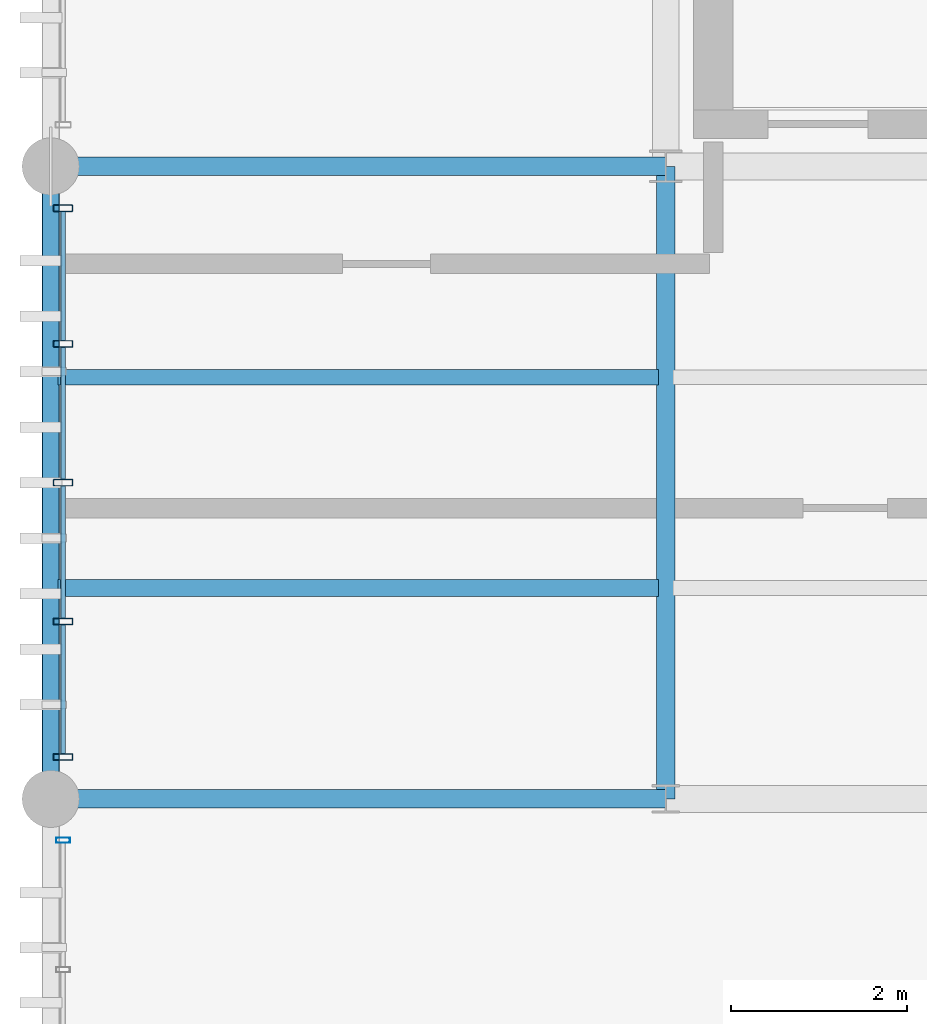
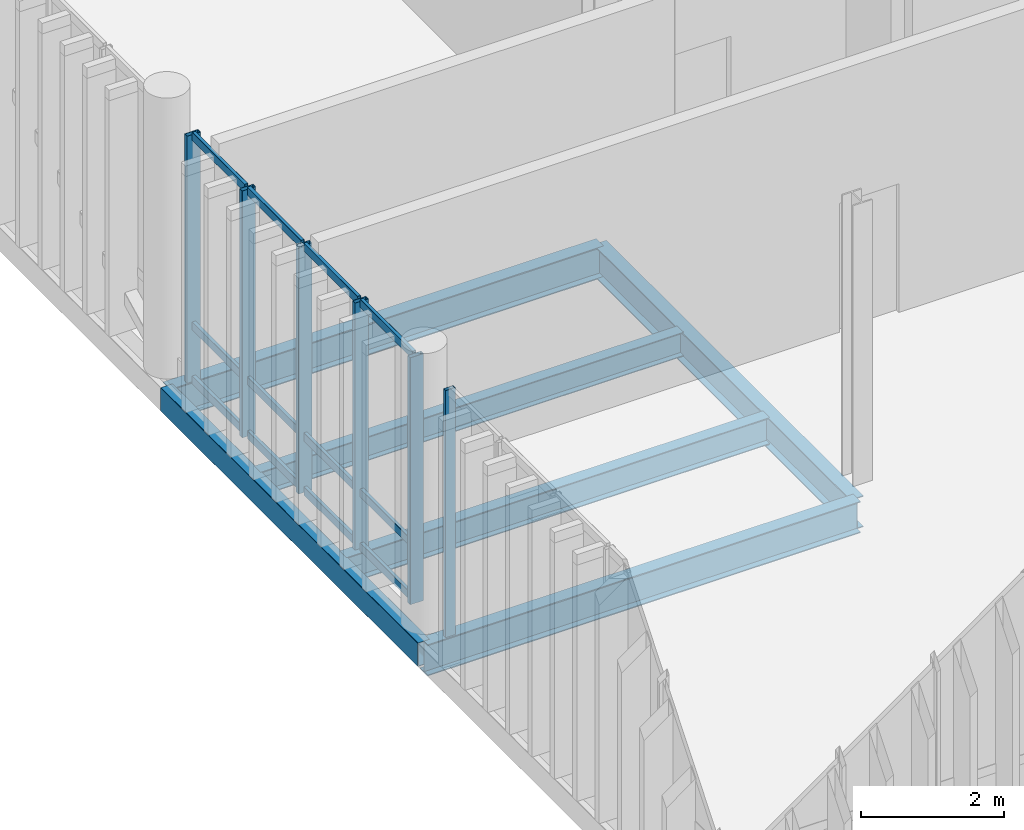
# One storey, part 9 of 86: 18 members, 6 beams, 2 elements without a shape of their own.
"""IFC4 building model written with IfcOpenShell, lengths in metres."""

from ifc_helpers import new_model, si_unit, direction, frame, origin_with_axes, origin_2d_with_axis, place, context, subcontext, project, spatial, hollow_rectangle, i_section, extrude, material, material_profile, profile_set, type_object, element, aggregate, save


model = new_model("IFC4")

# Units and contexts
model_context = context("Model", 3, precision=1e-05, world=origin_with_axes(), true_north=direction((0.0, 1.0)))
body_context = subcontext(model_context, "Body", "Model", "MODEL_VIEW")
ifc_project = project(units=[si_unit("LENGTHUNIT", "METRE"), si_unit("AREAUNIT", "SQUARE_METRE"), si_unit("VOLUMEUNIT", "CUBIC_METRE"), si_unit("PLANEANGLEUNIT", "RADIAN"), si_unit("MASSUNIT", "GRAM", prefix="KILO"), si_unit("THERMODYNAMICTEMPERATUREUNIT", "KELVIN")], contexts=[model_context])

# Site, building, storey
site_placement = place(None, origin_with_axes())
site = spatial("IfcSite", under=ifc_project, at=site_placement, CompositionType="ELEMENT")
building_placement = place(site_placement, origin_with_axes())
building = spatial("IfcBuilding", under=site, at=building_placement, Name="Montbau Bow Law Courts", CompositionType="ELEMENT")
storey_placement = place(building_placement, frame((0.0, 0.0, 29.7), z_axis=(0.0, 0.0, 1.0), x_axis=(1.0, 0.0, 0.0)))
storey = spatial("IfcBuildingStorey", under=building, at=storey_placement, Name="L06", CompositionType="ELEMENT", Elevation=29.7)

# Beams
ifc_material_1 = material(Name="Steel CSA G40.21 Grade 350W (350 MPa)", Category="steel")
ifc_material_profile_1 = material_profile(ifc_material_1, i_section(OverallWidth=0.21, OverallDepth=0.537, WebThickness=0.0109, FlangeThickness=0.0174, at=origin_2d_with_axis()), Name="W530X101", Category="Main", Priority=0)
ifc_profile_set_1 = profile_set([ifc_material_profile_1], Name="Steel CSA G40.21 Grade 350W (350 MPa)")
beam_type_1 = type_object("IfcBeamType", Name="B-FLR-06", PredefinedType="BEAM", material=ifc_profile_set_1)
for number, where, z_axis, x_axis, name in (
    (1, (6.8, 39.0, 29.091), (1.0, 0.0, 0.0), (0.0, 1.0, 0.0), "BM-L06-S0671:bm2_0674"),
    (2, (6.8, 46.2, 29.091), (1.0, 0.0, 0.0), (0.0, 1.0, 0.0), "BM-L06-S0676:bm2_0679"),
):
    element("IfcBeam", number, at=place(None, frame(where, z_axis=z_axis, x_axis=x_axis)), inside=storey, type_object=beam_type_1, Name=name, PredefinedType="BEAM", context=body_context, shape_type="SweptSolid", body=[
        extrude(i_section(OverallWidth=0.21, OverallDepth=0.537, WebThickness=0.0109, FlangeThickness=0.0174, at=origin_2d_with_axis()), origin_with_axes(), (0.0, 0.0, 1.0), 7.0),
    ])
beam_1_placement = place(None, frame((13.8, 39.0, 29.091), z_axis=(0.0, 1.0, 0.0), x_axis=(-1.0, 0.0, 0.0)))
element("IfcBeam", 3, at=beam_1_placement, inside=storey, type_object=beam_type_1, Name="BM-L06-S0695:bm2_0698", PredefinedType="BEAM", context=body_context, shape_type="SweptSolid", body=[
    extrude(i_section(OverallWidth=0.21, OverallDepth=0.537, WebThickness=0.0109, FlangeThickness=0.0174, at=origin_2d_with_axis()), origin_with_axes(), (0.0, 0.0, 1.0), 7.2),
])
ifc_material_profile_2 = material_profile(ifc_material_1, i_section(OverallWidth=0.191, OverallDepth=0.46, WebThickness=0.0099, FlangeThickness=0.016, at=origin_2d_with_axis()), Name="W460X82", Category="Main", Priority=0)
ifc_profile_set_2 = profile_set([ifc_material_profile_2], Name="Steel CSA G40.21 Grade 350W (350 MPa)")
beam_type_2 = type_object("IfcBeamType", Name="B-JST-01", PredefinedType="JOIST", material=ifc_profile_set_2)
beam_2_placement = place(None, frame((6.88, 41.4, 29.13), z_axis=(1.0, 0.0, 0.0), x_axis=(0.0, 1.0, 0.0)))
element("IfcBeam", 4, at=beam_2_placement, inside=storey, type_object=beam_type_2, Name="JST-L06-S0332:jst2_0332", PredefinedType="JOIST", context=body_context, shape_type="SweptSolid", body=[
    extrude(i_section(OverallWidth=0.191, OverallDepth=0.46, WebThickness=0.0099, FlangeThickness=0.016, at=origin_2d_with_axis()), origin_with_axes(), (0.0, 0.0, 1.0), 6.839),
])
ifc_material_profile_3 = material_profile(ifc_material_1, i_section(OverallWidth=0.179, OverallDepth=0.41, WebThickness=0.0088, FlangeThickness=0.0144, at=origin_2d_with_axis()), Name="W410X67", Category="Main", Priority=0)
ifc_profile_set_3 = profile_set([ifc_material_profile_3], Name="Steel CSA G40.21 Grade 350W (350 MPa)")
beam_type_3 = type_object("IfcBeamType", Name="B-JST-02", PredefinedType="JOIST", material=ifc_profile_set_3)
beam_3_placement = place(None, frame((6.88, 43.8, 29.155), z_axis=(1.0, 0.0, 0.0), x_axis=(0.0, 1.0, 0.0)))
element("IfcBeam", 5, at=beam_3_placement, inside=storey, type_object=beam_type_3, Name="JST-L06-S0333:jst2_0333", PredefinedType="JOIST", context=body_context, shape_type="SweptSolid", body=[
    extrude(i_section(OverallWidth=0.179, OverallDepth=0.41, WebThickness=0.0088, FlangeThickness=0.0144, at=origin_2d_with_axis()), origin_with_axes(), (0.0, 0.0, 1.0), 6.839),
])
ifc_material_2 = material(Name="Steel CSA G40.21 Grade 350WT (350 MPa)", Category="steel")
ifc_material_profile_4 = material_profile(ifc_material_2, hollow_rectangle(XDim=0.203, YDim=0.406, WallThickness=0.0127, InnerFilletRadius=0.0254, OuterFilletRadius=0.0127, at=origin_2d_with_axis()), Name="HSS406X203X13", Category="Main", Priority=0)
ifc_profile_set_4 = profile_set([ifc_material_profile_4], Name="Steel CSA G40.21 Grade 350WT (350 MPa)")
beam_type_4 = type_object("IfcBeamType", Name="B-SPN-01", PredefinedType="SPANDREL", material=ifc_profile_set_4)
beam_4_placement = place(None, frame((6.8, 39.0, 29.157), z_axis=(0.0, 1.0, 0.0), x_axis=(-1.0, 0.0, 0.0)))
element("IfcBeam", 6, at=beam_4_placement, inside=storey, type_object=beam_type_4, Name="SPN-L06-S0692:bm2_0695", PredefinedType="SPANDREL", context=body_context, shape_type="SweptSolid", body=[
    extrude(hollow_rectangle(XDim=0.203, YDim=0.406, WallThickness=0.0127, InnerFilletRadius=0.0254, OuterFilletRadius=0.0127, at=origin_2d_with_axis()), origin_with_axes(), (0.0, 0.0, 1.0), 7.2),
])

# Curtain wall, members
ifc_material_3 = material(Name="Thermally Broken Extruded Aluminium AA 6063-T6", Category="aluminium")
curtain_wall_type = type_object("IfcCurtainWallType", Name="CW-TRC-02", PredefinedType="NOTDEFINED", material=ifc_material_3)
curtain_wall_1_placement = place(None, frame((6.94, 39.44, 29.7), z_axis=(0.0, 0.0, 1.0), x_axis=(1.0, 0.0, 0.0)))
curtain_wall_1 = element("IfcCurtainWall", 7, at=curtain_wall_1_placement, inside=storey, type_object=curtain_wall_type, Name="CW-L06-105:cw_0105", PredefinedType="NOTDEFINED")
ifc_material_profile_5 = material_profile(ifc_material_3, hollow_rectangle(XDim=0.075, YDim=0.22, WallThickness=0.005, InnerFilletRadius=0.01, OuterFilletRadius=0.005, at=origin_2d_with_axis()), Name="CWM-220X75", Category="Main", Priority=0)
ifc_profile_set_5 = profile_set([ifc_material_profile_5], Name="Thermally Broken Extruded Aluminium AA 6063-T6")
member_type_1 = type_object("IfcMemberType", Name="M-MUL-01", PredefinedType="MULLION", material=ifc_profile_set_5)
member_1_placement = place(None, frame((6.94, 39.477, 29.7), z_axis=(0.0, 0.0, 1.0), x_axis=(0.0, 1.0, 0.0)))
member_1 = element("IfcMember", 8, at=member_1_placement, type_object=member_type_1, Name="CW-L06-105-M01:cw_0105_M01", PredefinedType="MULLION", context=body_context, shape_type="SweptSolid", body=[
    extrude(hollow_rectangle(XDim=0.075, YDim=0.22, WallThickness=0.005, InnerFilletRadius=0.01, OuterFilletRadius=0.005, at=origin_2d_with_axis()), origin_with_axes(), (0.0, 0.0, 1.0), 4.22),
])
member_2_placement = place(None, frame((6.94, 41.02, 29.7), z_axis=(0.0, 0.0, 1.0), x_axis=(0.0, 1.0, 0.0)))
member_2 = element("IfcMember", 9, at=member_2_placement, type_object=member_type_1, Name="CW-L06-105-M02:cw_0105_M02", PredefinedType="MULLION", context=body_context, shape_type="SweptSolid", body=[
    extrude(hollow_rectangle(XDim=0.075, YDim=0.22, WallThickness=0.005, InnerFilletRadius=0.01, OuterFilletRadius=0.005, at=origin_2d_with_axis()), origin_with_axes(), (0.0, 0.0, 1.0), 4.22),
])
member_3_placement = place(None, frame((6.94, 42.6, 29.7), z_axis=(0.0, 0.0, 1.0), x_axis=(0.0, 1.0, 0.0)))
member_3 = element("IfcMember", 10, at=member_3_placement, type_object=member_type_1, Name="CW-L06-105-M03:cw_0105_M03", PredefinedType="MULLION", context=body_context, shape_type="SweptSolid", body=[
    extrude(hollow_rectangle(XDim=0.075, YDim=0.22, WallThickness=0.005, InnerFilletRadius=0.01, OuterFilletRadius=0.005, at=origin_2d_with_axis()), origin_with_axes(), (0.0, 0.0, 1.0), 4.22),
])
member_4_placement = place(None, frame((6.94, 44.18, 29.7), z_axis=(0.0, 0.0, 1.0), x_axis=(0.0, 1.0, 0.0)))
member_4 = element("IfcMember", 11, at=member_4_placement, type_object=member_type_1, Name="CW-L06-105-M04:cw_0105_M04", PredefinedType="MULLION", context=body_context, shape_type="SweptSolid", body=[
    extrude(hollow_rectangle(XDim=0.075, YDim=0.22, WallThickness=0.005, InnerFilletRadius=0.01, OuterFilletRadius=0.005, at=origin_2d_with_axis()), origin_with_axes(), (0.0, 0.0, 1.0), 4.22),
])
member_5_placement = place(None, frame((6.94, 45.723, 29.7), z_axis=(0.0, 0.0, 1.0), x_axis=(0.0, 1.0, 0.0)))
member_5 = element("IfcMember", 12, at=member_5_placement, type_object=member_type_1, Name="CW-L06-105-M05:cw_0105_M05", PredefinedType="MULLION", context=body_context, shape_type="SweptSolid", body=[
    extrude(hollow_rectangle(XDim=0.075, YDim=0.22, WallThickness=0.005, InnerFilletRadius=0.01, OuterFilletRadius=0.005, at=origin_2d_with_axis()), origin_with_axes(), (0.0, 0.0, 1.0), 4.22),
])

# Curtain wall, member
curtain_wall_2_placement = place(None, frame((6.94, 31.04, 29.7), z_axis=(0.0, 0.0, 1.0), x_axis=(1.0, 0.0, 0.0)))
curtain_wall_2 = element("IfcCurtainWall", 13, at=curtain_wall_2_placement, inside=storey, type_object=curtain_wall_type, Name="CW-L06-104:cw_0104", PredefinedType="NOTDEFINED")
ifc_material_profile_6 = material_profile(ifc_material_3, hollow_rectangle(XDim=0.06, YDim=0.16, WallThickness=0.004, InnerFilletRadius=0.008, OuterFilletRadius=0.004, at=origin_2d_with_axis()), Name="CWM-160X60", Category="Main", Priority=0)
ifc_profile_set_6 = profile_set([ifc_material_profile_6], Name="Thermally Broken Extruded Aluminium AA 6063-T6")
member_type_2 = type_object("IfcMemberType", Name="M-MUL-03", PredefinedType="MULLION", material=ifc_profile_set_6)
member_6_placement = place(None, frame((6.94, 38.53, 29.7), z_axis=(0.0, 0.0, 1.0), x_axis=(0.0, 1.0, 0.0)))
member_6 = element("IfcMember", 14, at=member_6_placement, type_object=member_type_2, Name="CW-L06-104-M06:cw_0104_M06", PredefinedType="MULLION", context=body_context, shape_type="SweptSolid", body=[
    extrude(hollow_rectangle(XDim=0.06, YDim=0.16, WallThickness=0.004, InnerFilletRadius=0.008, OuterFilletRadius=0.004, at=origin_2d_with_axis()), origin_with_axes(), (0.0, 0.0, 1.0), 4.22),
])
aggregate(curtain_wall_2, [member_6])

# Member
ifc_material_profile_7 = material_profile(ifc_material_3, hollow_rectangle(XDim=0.055, YDim=0.14, WallThickness=0.004, InnerFilletRadius=0.008, OuterFilletRadius=0.004, at=origin_2d_with_axis()), Name="CWT-140X55", Category="Main", Priority=0)
ifc_profile_set_7 = profile_set([ifc_material_profile_7], Name="Thermally Broken Extruded Aluminium AA 6063-T6")
member_type_3 = type_object("IfcMemberType", Name="M-TRN-02", PredefinedType="USERDEFINED", material=ifc_profile_set_7)
member_7_placement = place(None, frame((6.94, 39.516, 29.727), z_axis=(0.0, 1.0, 0.0), x_axis=(-1.0, 0.0, 0.0)))
member_7 = element("IfcMember", 15, at=member_7_placement, type_object=member_type_3, Name="CW-L06-105-T01-1:cw_0105_T01_1", ObjectType="TRANSOM", PredefinedType="USERDEFINED", context=body_context, shape_type="SweptSolid", body=[
    extrude(hollow_rectangle(XDim=0.055, YDim=0.14, WallThickness=0.004, InnerFilletRadius=0.008, OuterFilletRadius=0.004, at=origin_2d_with_axis()), origin_with_axes(), (0.0, 0.0, 1.0), 1.464),
])

member_8_placement = place(None, frame((6.94, 39.516, 30.65), z_axis=(0.0, 1.0, 0.0), x_axis=(-1.0, 0.0, 0.0)))
member_8 = element("IfcMember", 16, at=member_8_placement, type_object=member_type_3, Name="CW-L06-105-T01-2:cw_0105_T01_2", ObjectType="TRANSOM", PredefinedType="USERDEFINED", context=body_context, shape_type="SweptSolid", body=[
    extrude(hollow_rectangle(XDim=0.055, YDim=0.14, WallThickness=0.004, InnerFilletRadius=0.008, OuterFilletRadius=0.004, at=origin_2d_with_axis()), origin_with_axes(), (0.0, 0.0, 1.0), 1.464),
])

member_9_placement = place(None, frame((6.94, 39.516, 33.892), z_axis=(0.0, 1.0, 0.0), x_axis=(-1.0, 0.0, 0.0)))
member_9 = element("IfcMember", 17, at=member_9_placement, type_object=member_type_3, Name="CW-L06-105-T01-3:cw_0105_T01_3", ObjectType="TRANSOM", PredefinedType="USERDEFINED", context=body_context, shape_type="SweptSolid", body=[
    extrude(hollow_rectangle(XDim=0.055, YDim=0.14, WallThickness=0.004, InnerFilletRadius=0.008, OuterFilletRadius=0.004, at=origin_2d_with_axis()), origin_with_axes(), (0.0, 0.0, 1.0), 1.464),
])

member_10_placement = place(None, frame((6.94, 41.06, 29.727), z_axis=(0.0, 1.0, 0.0), x_axis=(-1.0, 0.0, 0.0)))
member_10 = element("IfcMember", 18, at=member_10_placement, type_object=member_type_3, Name="CW-L06-105-T02-1:cw_0105_T02_1", ObjectType="TRANSOM", PredefinedType="USERDEFINED", context=body_context, shape_type="SweptSolid", body=[
    extrude(hollow_rectangle(XDim=0.055, YDim=0.14, WallThickness=0.004, InnerFilletRadius=0.008, OuterFilletRadius=0.004, at=origin_2d_with_axis()), origin_with_axes(), (0.0, 0.0, 1.0), 1.501),
])

member_11_placement = place(None, frame((6.94, 41.06, 30.65), z_axis=(0.0, 1.0, 0.0), x_axis=(-1.0, 0.0, 0.0)))
member_11 = element("IfcMember", 19, at=member_11_placement, type_object=member_type_3, Name="CW-L06-105-T02-2:cw_0105_T02_2", ObjectType="TRANSOM", PredefinedType="USERDEFINED", context=body_context, shape_type="SweptSolid", body=[
    extrude(hollow_rectangle(XDim=0.055, YDim=0.14, WallThickness=0.004, InnerFilletRadius=0.008, OuterFilletRadius=0.004, at=origin_2d_with_axis()), origin_with_axes(), (0.0, 0.0, 1.0), 1.501),
])

member_12_placement = place(None, frame((6.94, 41.06, 33.892), z_axis=(0.0, 1.0, 0.0), x_axis=(-1.0, 0.0, 0.0)))
member_12 = element("IfcMember", 20, at=member_12_placement, type_object=member_type_3, Name="CW-L06-105-T02-3:cw_0105_T02_3", ObjectType="TRANSOM", PredefinedType="USERDEFINED", context=body_context, shape_type="SweptSolid", body=[
    extrude(hollow_rectangle(XDim=0.055, YDim=0.14, WallThickness=0.004, InnerFilletRadius=0.008, OuterFilletRadius=0.004, at=origin_2d_with_axis()), origin_with_axes(), (0.0, 0.0, 1.0), 1.501),
])

member_13_placement = place(None, frame((6.94, 42.64, 29.727), z_axis=(0.0, 1.0, 0.0), x_axis=(-1.0, 0.0, 0.0)))
member_13 = element("IfcMember", 21, at=member_13_placement, type_object=member_type_3, Name="CW-L06-105-T03-1:cw_0105_T03_1", ObjectType="TRANSOM", PredefinedType="USERDEFINED", context=body_context, shape_type="SweptSolid", body=[
    extrude(hollow_rectangle(XDim=0.055, YDim=0.14, WallThickness=0.004, InnerFilletRadius=0.008, OuterFilletRadius=0.004, at=origin_2d_with_axis()), origin_with_axes(), (0.0, 0.0, 1.0), 1.501),
])

member_14_placement = place(None, frame((6.94, 42.64, 30.65), z_axis=(0.0, 1.0, 0.0), x_axis=(-1.0, 0.0, 0.0)))
member_14 = element("IfcMember", 22, at=member_14_placement, type_object=member_type_3, Name="CW-L06-105-T03-2:cw_0105_T03_2", ObjectType="TRANSOM", PredefinedType="USERDEFINED", context=body_context, shape_type="SweptSolid", body=[
    extrude(hollow_rectangle(XDim=0.055, YDim=0.14, WallThickness=0.004, InnerFilletRadius=0.008, OuterFilletRadius=0.004, at=origin_2d_with_axis()), origin_with_axes(), (0.0, 0.0, 1.0), 1.501),
])

member_15_placement = place(None, frame((6.94, 42.64, 33.892), z_axis=(0.0, 1.0, 0.0), x_axis=(-1.0, 0.0, 0.0)))
member_15 = element("IfcMember", 23, at=member_15_placement, type_object=member_type_3, Name="CW-L06-105-T03-3:cw_0105_T03_3", ObjectType="TRANSOM", PredefinedType="USERDEFINED", context=body_context, shape_type="SweptSolid", body=[
    extrude(hollow_rectangle(XDim=0.055, YDim=0.14, WallThickness=0.004, InnerFilletRadius=0.008, OuterFilletRadius=0.004, at=origin_2d_with_axis()), origin_with_axes(), (0.0, 0.0, 1.0), 1.501),
])

member_16_placement = place(None, frame((6.94, 44.219, 29.727), z_axis=(0.0, 1.0, 0.0), x_axis=(-1.0, 0.0, 0.0)))
member_16 = element("IfcMember", 24, at=member_16_placement, type_object=member_type_3, Name="CW-L06-105-T04-1:cw_0105_T04_1", ObjectType="TRANSOM", PredefinedType="USERDEFINED", context=body_context, shape_type="SweptSolid", body=[
    extrude(hollow_rectangle(XDim=0.055, YDim=0.14, WallThickness=0.004, InnerFilletRadius=0.008, OuterFilletRadius=0.004, at=origin_2d_with_axis()), origin_with_axes(), (0.0, 0.0, 1.0), 1.465),
])

member_17_placement = place(None, frame((6.94, 44.219, 30.65), z_axis=(0.0, 1.0, 0.0), x_axis=(-1.0, 0.0, 0.0)))
member_17 = element("IfcMember", 25, at=member_17_placement, type_object=member_type_3, Name="CW-L06-105-T04-2:cw_0105_T04_2", ObjectType="TRANSOM", PredefinedType="USERDEFINED", context=body_context, shape_type="SweptSolid", body=[
    extrude(hollow_rectangle(XDim=0.055, YDim=0.14, WallThickness=0.004, InnerFilletRadius=0.008, OuterFilletRadius=0.004, at=origin_2d_with_axis()), origin_with_axes(), (0.0, 0.0, 1.0), 1.465),
])

member_18_placement = place(None, frame((6.94, 44.219, 33.892), z_axis=(0.0, 1.0, 0.0), x_axis=(-1.0, 0.0, 0.0)))
member_18 = element("IfcMember", 26, at=member_18_placement, type_object=member_type_3, Name="CW-L06-105-T04-3:cw_0105_T04_3", ObjectType="TRANSOM", PredefinedType="USERDEFINED", context=body_context, shape_type="SweptSolid", body=[
    extrude(hollow_rectangle(XDim=0.055, YDim=0.14, WallThickness=0.004, InnerFilletRadius=0.008, OuterFilletRadius=0.004, at=origin_2d_with_axis()), origin_with_axes(), (0.0, 0.0, 1.0), 1.465),
])

aggregate(curtain_wall_1, [member_1, member_2, member_3, member_4, member_5, member_7, member_8, member_9, member_10, member_11, member_12, member_13, member_14, member_15, member_16, member_17, member_18])

save(model, "model.ifc")
